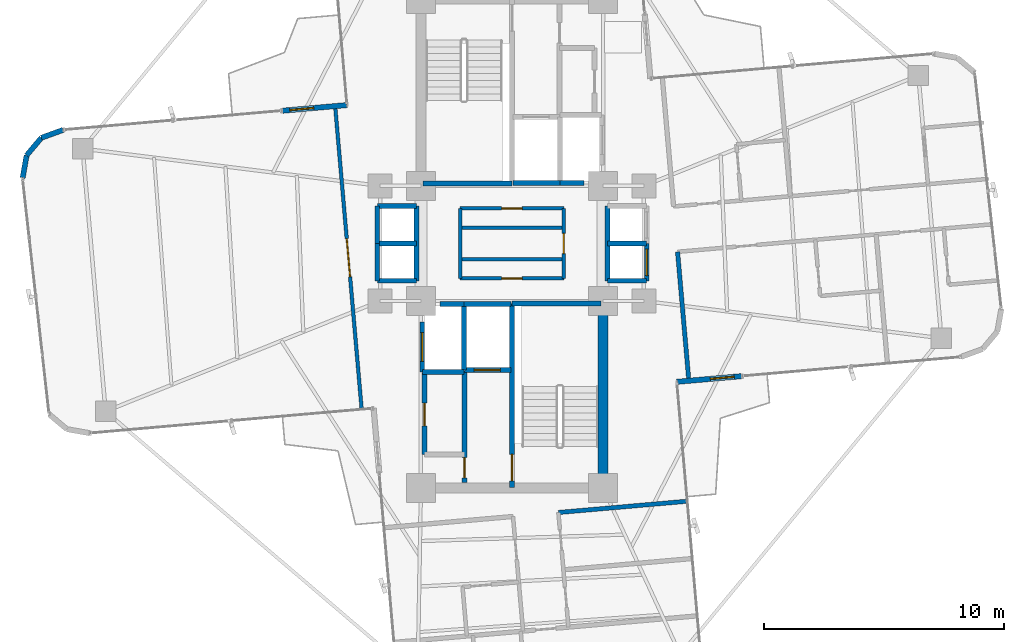
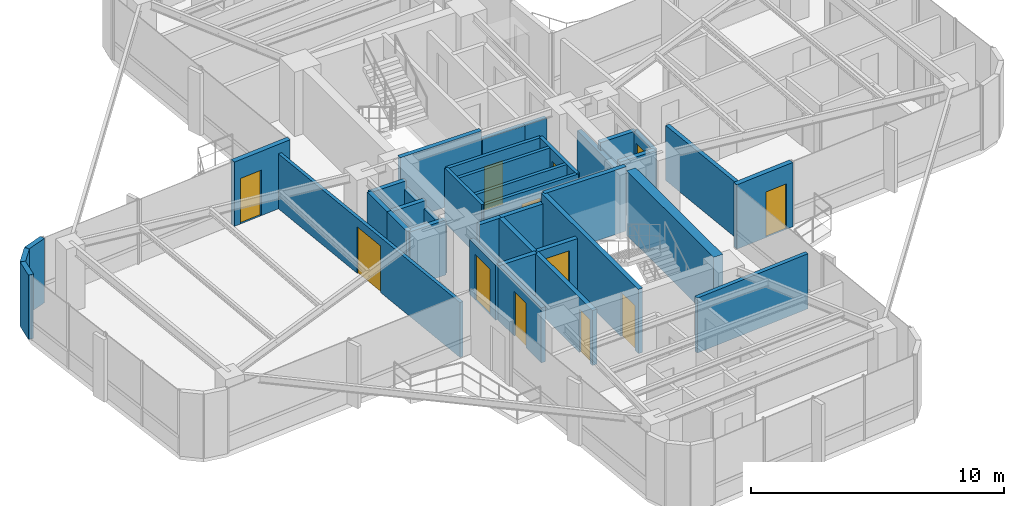
# One storey, part 21 of 24: 38 walls, 12 doors, 12 openings.
"""IFC4 building model written with IfcOpenShell, lengths in metres."""

from ifc_helpers import new_model, si_unit, direction, frame, frame_2d, origin, origin_2d, place, context, subcontext, project, spatial, rectangle, extrude, source, transform, mapped, material, layer, layer_set, type_object, element, fill, save


model = new_model("IFC4")

# Units and contexts
model_context = context("Model", 3, precision=1e-05, world=origin(), true_north=direction((0.0, 1.0)))
body_context = subcontext(model_context, "Body", "Model", "MODEL_VIEW")
ifc_project = project(units=[si_unit("LENGTHUNIT", "METRE"), si_unit("AREAUNIT", "SQUARE_METRE"), si_unit("VOLUMEUNIT", "CUBIC_METRE"), si_unit("PLANEANGLEUNIT", "RADIAN"), si_unit("MASSUNIT", "GRAM", prefix="KILO")], contexts=[model_context])

# Site, building, storey
site_placement = place(None, origin())
site = spatial("IfcSite", under=ifc_project, at=site_placement, CompositionType="ELEMENT")
building_placement = place(site_placement, origin())
building = spatial("IfcBuilding", under=site, at=building_placement, Name="Sahyath Konkavel Grand Hotel", CompositionType="ELEMENT")
storey_placement = place(building_placement, frame((0.0, 0.0, 188.60009765625)))
storey = spatial("IfcBuildingStorey", under=building, at=storey_placement, Name="L52", CompositionType="ELEMENT", Elevation=188.60009765625)

# Wall
ifc_material_1 = material(Name="Concrete C50/60", Category="concrete")
ifc_layer_1 = layer(ifc_material_1, 0.419921875)
ifc_layer_set_1 = layer_set([ifc_layer_1], Name="Concrete C50/60")
wall_type_1 = type_object("IfcWallType", Name="CWALL-420", PredefinedType="SHEAR", material=ifc_layer_set_1)
wall_1_placement = place(storey_placement, frame((3.800048828125, -9.75, 0.0), z_axis=(0.0, 0.0, 1.0), x_axis=(0.0, 1.0, 0.0)))
element("IfcWall", 1, at=wall_1_placement, inside=storey, type_object=wall_type_1, Name="L52 South Core Shear Wall E", PredefinedType="SHEAR", context=body_context, shape_type="SweptSolid", body=[
    extrude(rectangle(XDim=6.89990234375, YDim=0.419921875, at=frame_2d((3.449951171875, 0.0))), origin(), (0.0, 0.0, 1.0), 3.10986328125),
])

# Wall, opening, door
ifc_material_2 = material(Name="Warm Buff Sandstone Insulated Concrete C40/50", Category="masonry")
ifc_layer_2 = layer(ifc_material_2, 0.219970703125)
ifc_layer_set_2 = layer_set([ifc_layer_2], Name="Warm Buff Sandstone Insulated Concrete C40/50")
wall_type_2 = type_object("IfcWallType", Name="WLL-BALC-THRESH", PredefinedType="STANDARD", material=ifc_layer_set_2)
wall_2_placement = place(storey_placement, frame((6.87939453125, -5.7724609375, 0.0), z_axis=(0.0, 0.0, 1.0), x_axis=(0.996193619346, 0.087168071984, 0.0)))
wall_2 = element("IfcWall", 2, at=wall_2_placement, inside=storey, type_object=wall_type_2, Name="L52 Winter-Garden Threshold Wall 0", PredefinedType="STANDARD", context=body_context, shape_type="SweptSolid", body=[
    extrude(rectangle(XDim=2.699951171875, YDim=0.219970703125, at=frame_2d((1.35009765625, 0.0))), origin(), (0.0, 0.0, 1.0), 3.10986328125),
])
opening_1_placement = place(wall_2_placement, frame((1.39990234375, 0.0, 0.0)))
opening_1 = element("IfcOpeningElement", 3, at=opening_1_placement, cuts=wall_2, Name="Opening D-TR1", PredefinedType="OPENING", context=body_context, shape_type="SweptSolid", body=[
    extrude(rectangle(XDim=1.0, YDim=2.199951171875, at=frame_2d((0.5, 1.10009765625))), frame((0.0, 0.1201171875, 0.0), z_axis=(0.0, -1.0, 0.0), x_axis=(1.0, 0.0, 0.0)), (0.0, 0.0, 1.0), 0.239990234375),
])
ifc_material_3 = material(Name="Anodised Bronze Aluminium & Low-E Glazing", Category="aluminium")
door_type_1 = type_object("IfcDoorType", Name="DR-TERRACE-1000", OperationType="NOTDEFINED", PredefinedType="DOOR", material=ifc_material_3)
shared_shape_1 = source(origin(), body_context, "Body", "SweptSolid", [
    extrude(rectangle(XDim=1.0, YDim=0.050048828125, at=origin_2d()), origin(), (0.0, 0.0, 1.0), 2.199951171875),
])
door_1_placement = place(opening_1_placement, frame((0.5, 0.0, 0.0)))
door_1 = element("IfcDoor", 4, at=door_1_placement, inside=storey, type_object=door_type_1, Name="L52 Winter-Garden Terrace Door 0", OperationType="SINGLE_SWING_LEFT", OverallHeight=2.199951171875, OverallWidth=1.0, PredefinedType="DOOR", context=body_context, shape_type="MappedRepresentation", body=[
    mapped(shared_shape_1, transform((0.0, 0.0, 0.0), scale=1.0)),
])
fill(opening_1, door_1)

wall_3_placement = place(storey_placement, frame((-6.87939453125, 5.7724609375, 0.0), z_axis=(0.0, 0.0, 1.0), x_axis=(-0.996193619346, -0.087168071984, 0.0)))
wall_3 = element("IfcWall", 5, at=wall_3_placement, inside=storey, type_object=wall_type_2, Name="L52 Winter-Garden Threshold Wall 16", PredefinedType="STANDARD", context=body_context, shape_type="SweptSolid", body=[
    extrude(rectangle(XDim=2.699951171875, YDim=0.219970703125, at=frame_2d((1.35009765625, 0.0))), origin(), (0.0, 0.0, 1.0), 3.10986328125),
])
opening_2_placement = place(wall_3_placement, frame((1.39990234375, 0.0, 0.0)))
opening_2 = element("IfcOpeningElement", 6, at=opening_2_placement, cuts=wall_3, Name="Opening D-TR1", PredefinedType="OPENING", context=body_context, shape_type="SweptSolid", body=[
    extrude(rectangle(XDim=1.0, YDim=2.199951171875, at=frame_2d((0.5, 1.10009765625))), frame((0.0, 0.1201171875, 0.0), z_axis=(0.0, -1.0, 0.0), x_axis=(1.0, 0.0, 0.0)), (0.0, 0.0, 1.0), 0.239990234375),
])
door_2_placement = place(opening_2_placement, frame((0.5, 0.0, 0.0)))
door_2 = element("IfcDoor", 7, at=door_2_placement, inside=storey, type_object=door_type_1, Name="L52 Winter-Garden Terrace Door 16", OperationType="SINGLE_SWING_LEFT", OverallHeight=2.199951171875, OverallWidth=1.0, PredefinedType="DOOR", context=body_context, shape_type="MappedRepresentation", body=[
    mapped(shared_shape_1, transform((0.0, 0.0, 0.0), scale=1.0)),
])
fill(opening_2, door_2)

# Walls
wall_4_placement = place(storey_placement, frame((-18.73388671875, 4.735107421875, 0.0), z_axis=(0.0, 0.0, 1.0), x_axis=(-0.939741306239, -0.34188635151, 0.0)))
element("IfcWall", 8, at=wall_4_placement, inside=storey, type_object=wall_type_2, Name="L52 Rounded Corner Sandstone Pier 17", PredefinedType="STANDARD", context=body_context, shape_type="SweptSolid", body=[
    extrude(rectangle(XDim=0.95751953125, YDim=0.219970703125, at=frame_2d((0.478759765625, 0.0))), origin(), (0.0, 0.0, 1.0), 3.10986328125),
])
for number, where, z_axis, x_axis, name in (
    (9, (-19.6337890625, 4.40771484375, 0.0), (0.0, 0.0, 1.0), (-0.642863236823, -0.765980978054, 0.0), "L52 Rounded Corner Sandstone Pier 18"),
    (10, (-20.24951171875, 3.674072265625, 0.0), (0.0, 0.0, 1.0), (-0.173610811841, -0.984814340885, 0.0), "L52 Rounded Corner Sandstone Pier 19"),
):
    element("IfcWall", number, at=place(storey_placement, frame(where, z_axis=z_axis, x_axis=x_axis)), inside=storey, type_object=wall_type_2, Name=name, PredefinedType="STANDARD", context=body_context, shape_type="SweptSolid", body=[
        extrude(rectangle(XDim=0.957763671875, YDim=0.219970703125, at=frame_2d((0.47900390625, 0.0))), origin(), (0.0, 0.0, 1.0), 3.10986328125),
    ])
ifc_material_4 = material(Name="Concrete C40/50", Category="concrete")
ifc_layer_3 = layer(ifc_material_4, 0.199951171875)
ifc_layer_set_3 = layer_set([ifc_layer_3], Name="Concrete C40/50")
wall_type_3 = type_object("IfcWallType", Name="WLL-CORE-200", PredefinedType="SOLIDWALL", material=ifc_layer_set_3)
wall_5_placement = place(storey_placement, frame((-3.719970703125, 2.5, 0.0), z_axis=(0.0, 0.0, 1.0), x_axis=(1.0, 0.0, 0.0)))
element("IfcWall", 11, at=wall_5_placement, inside=storey, type_object=wall_type_3, Name="L52 Stair ST-1 Shaft Wall S", PredefinedType="SOLIDWALL", context=body_context, shape_type="SweptSolid", body=[
    extrude(rectangle(XDim=3.719970703125, YDim=0.199951171875, at=frame_2d((1.85986328125, 0.0))), origin(), (0.0, 0.0, 1.0), 3.10986328125),
])

# Wall, opening, door
wall_6_placement = place(storey_placement, frame((0.0, -10.179931640625, 0.0), z_axis=(0.0, 0.0, 1.0), x_axis=(0.0, 1.0, 0.0)))
wall_6 = element("IfcWall", 12, at=wall_6_placement, inside=storey, type_object=wall_type_3, Name="L52 Stair ST-2 Shaft Wall W", PredefinedType="SOLIDWALL", context=body_context, shape_type="SweptSolid", body=[
    extrude(rectangle(XDim=7.679931640625, YDim=0.199951171875, at=frame_2d((3.83984375, 0.0))), origin(), (0.0, 0.0, 1.0), 3.10986328125),
])
opening_3_placement = place(wall_6_placement, frame((0.280029296875, 0.0, 0.0)))
opening_3 = element("IfcOpeningElement", 13, at=opening_3_placement, cuts=wall_6, Name="Opening D-F12B", PredefinedType="OPENING", context=body_context, shape_type="SweptSolid", body=[
    extrude(rectangle(XDim=1.10009765625, YDim=2.14990234375, at=frame_2d((0.550048828125, 1.074951171875))), frame((0.0, 0.10986328125, 0.0), z_axis=(0.0, -1.0, 0.0), x_axis=(1.0, 0.0, 0.0)), (0.0, 0.0, 1.0), 0.219970703125),
])
ifc_material_5 = material(Name="Steel E350 Smokeproof Fire Door", Category="steel")
door_type_2 = type_object("IfcDoorType", Name="DR-FD120-1100", OperationType="NOTDEFINED", PredefinedType="DOOR", material=ifc_material_5)
shared_shape_2 = source(origin(), body_context, "Body", "SweptSolid", [
    extrude(rectangle(XDim=1.10009765625, YDim=0.050048828125, at=origin_2d()), origin(), (0.0, 0.0, 1.0), 2.14990234375),
])
door_3_placement = place(opening_3_placement, frame((0.550048828125, 0.0, 0.0)))
door_3 = element("IfcDoor", 14, at=door_3_placement, inside=storey, type_object=door_type_2, Name="L52 Stair ST-2 Fire Door", OperationType="SINGLE_SWING_LEFT", OverallHeight=2.14990234375, OverallWidth=1.10009765625, PredefinedType="DOOR", context=body_context, shape_type="MappedRepresentation", body=[
    mapped(shared_shape_2, transform((0.0, 0.0, 0.0), scale=1.0)),
])
fill(opening_3, door_3)

# Wall
wall_7_placement = place(storey_placement, frame((0.0, -2.5, 0.0), z_axis=(0.0, 0.0, 1.0), x_axis=(1.0, 0.0, 0.0)))
element("IfcWall", 15, at=wall_7_placement, inside=storey, type_object=wall_type_3, Name="L52 Stair ST-2 Shaft Wall N", PredefinedType="SOLIDWALL", context=body_context, shape_type="SweptSolid", body=[
    extrude(rectangle(XDim=3.719970703125, YDim=0.199951171875, at=frame_2d((1.85986328125, 0.0))), origin(), (0.0, 0.0, 1.0), 3.10986328125),
])

# Wall, opening, door
wall_8_placement = place(storey_placement, frame((-1.97998046875, -9.97998046875, 0.0), z_axis=(0.0, 0.0, 1.0), x_axis=(0.0, 1.0, 0.0)))
wall_8 = element("IfcWall", 16, at=wall_8_placement, inside=storey, type_object=wall_type_3, Name="L52 South Firefighting Lobby Wall W", PredefinedType="SOLIDWALL", context=body_context, shape_type="SweptSolid", body=[
    extrude(rectangle(XDim=4.659912109375, YDim=0.199951171875, at=frame_2d((2.330078125, 0.0))), origin(), (0.0, 0.0, 1.0), 2.659912109375),
])
opening_4_placement = place(wall_8_placement, frame((0.199951171875, 0.0, 0.0)))
opening_4 = element("IfcOpeningElement", 17, at=opening_4_placement, cuts=wall_8, Name="Opening D-F12D", PredefinedType="OPENING", context=body_context, shape_type="SweptSolid", body=[
    extrude(rectangle(XDim=0.85009765625, YDim=2.10009765625, at=frame_2d((0.425048828125, 1.050048828125))), frame((0.0, 0.10986328125, 0.0), z_axis=(0.0, -1.0, 0.0), x_axis=(1.0, 0.0, 0.0)), (0.0, 0.0, 1.0), 0.219970703125),
])
ifc_material_6 = material(Name="Steel E350 Core Fire Door", Category="steel")
door_type_3 = type_object("IfcDoorType", Name="DR-FD120-850", OperationType="NOTDEFINED", PredefinedType="DOOR", material=ifc_material_6)
shared_shape_3 = source(origin(), body_context, "Body", "SweptSolid", [
    extrude(rectangle(XDim=0.85009765625, YDim=0.050048828125, at=origin_2d()), origin(), (0.0, 0.0, 1.0), 2.10009765625),
])
door_4_placement = place(opening_4_placement, frame((0.425048828125, 0.0, 0.0)))
door_4 = element("IfcDoor", 18, at=door_4_placement, inside=storey, type_object=door_type_3, Name="L52 South Firefighting Lobby Door", OperationType="SINGLE_SWING_LEFT", OverallHeight=2.10009765625, OverallWidth=0.85009765625, PredefinedType="DOOR", context=body_context, shape_type="MappedRepresentation", body=[
    mapped(shared_shape_3, transform((0.0, 0.0, 0.0), scale=1.0)),
])
fill(opening_4, door_4)

# Walls
wall_9_placement = place(storey_placement, frame((0.050048828125, 2.52001953125, 0.0), z_axis=(0.0, 0.0, 1.0), x_axis=(1.0, 0.0, 0.0)))
element("IfcWall", 19, at=wall_9_placement, inside=storey, type_object=wall_type_3, Name="L52 Partition SH-FFL1-S", PredefinedType="SOLIDWALL", context=body_context, shape_type="SweptSolid", body=[
    extrude(rectangle(XDim=1.949951171875, YDim=0.199951171875, at=frame_2d((0.97509765625, 0.0))), origin(), (0.0, 0.0, 1.0), 2.659912109375),
])
wall_10_placement = place(storey_placement, frame((-2.0, -5.280029296875, 0.0), z_axis=(0.0, 0.0, 1.0), x_axis=(0.0, 1.0, 0.0)))
element("IfcWall", 20, at=wall_10_placement, inside=storey, type_object=wall_type_3, Name="L52 Partition SH-FFL2-W", PredefinedType="SOLIDWALL", context=body_context, shape_type="SweptSolid", body=[
    extrude(rectangle(XDim=2.780029296875, YDim=0.199951171875, at=frame_2d((1.39013671875, 0.0))), origin(), (0.0, 0.0, 1.0), 2.659912109375),
])
wall_11_placement = place(storey_placement, frame((-2.0, -2.52001953125, 0.0), z_axis=(0.0, 0.0, 1.0), x_axis=(1.0, 0.0, 0.0)))
element("IfcWall", 21, at=wall_11_placement, inside=storey, type_object=wall_type_3, Name="L52 Partition SH-FFL2-N", PredefinedType="SOLIDWALL", context=body_context, shape_type="SweptSolid", body=[
    extrude(rectangle(XDim=1.949951171875, YDim=0.199951171875, at=frame_2d((0.97509765625, 0.0))), origin(), (0.0, 0.0, 1.0), 2.659912109375),
])

# Wall, opening, door
wall_12_placement = place(storey_placement, frame((-1.97998046875, -5.280029296875, 0.0), z_axis=(0.0, 0.0, 1.0), x_axis=(1.0, 0.0, 0.0)))
wall_12 = element("IfcWall", 22, at=wall_12_placement, inside=storey, type_object=wall_type_3, Name="L52 Partition SH-FFL2-S", PredefinedType="SOLIDWALL", context=body_context, shape_type="SweptSolid", body=[
    extrude(rectangle(XDim=1.929931640625, YDim=0.199951171875, at=frame_2d((0.96484375, 0.0))), origin(), (0.0, 0.0, 1.0), 2.659912109375),
])
opening_5_placement = place(wall_12_placement, frame((0.39990234375, 0.0, 0.0)))
opening_5 = element("IfcOpeningElement", 23, at=opening_5_placement, cuts=wall_12, Name="Opening LD-11", PredefinedType="OPENING", context=body_context, shape_type="SweptSolid", body=[
    extrude(rectangle(XDim=1.10009765625, YDim=2.199951171875, at=frame_2d((0.550048828125, 1.10009765625))), frame((0.0, 0.10986328125, 0.0), z_axis=(0.0, -1.0, 0.0), x_axis=(1.0, 0.0, 0.0)), (0.0, 0.0, 1.0), 0.219970703125),
])
ifc_material_7 = material(Name="Bronze Lift Landing Door 1100")
door_type_4 = type_object("IfcDoorType", Name="DR-LIFT-1100", OperationType="DOUBLE_DOOR_SLIDING", PredefinedType="DOOR", material=ifc_material_7)
shared_shape_4 = source(origin(), body_context, "Body", "SweptSolid", [
    extrude(rectangle(XDim=1.10009765625, YDim=0.050048828125, at=origin_2d()), origin(), (0.0, 0.0, 1.0), 2.199951171875),
])
door_5_placement = place(opening_5_placement, frame((0.550048828125, 0.0, 0.0)))
door_5 = element("IfcDoor", 24, at=door_5_placement, inside=storey, type_object=door_type_4, Name="L52 Lift FFL-2 Landing Door", OperationType="DOUBLE_DOOR_SLIDING", OverallHeight=2.199951171875, OverallWidth=1.10009765625, PredefinedType="DOOR", context=body_context, shape_type="MappedRepresentation", body=[
    mapped(shared_shape_4, transform((0.0, 0.0, 0.0), scale=1.0)),
])
fill(opening_5, door_5)

# Walls
for number, where, z_axis, x_axis, name in (
    (25, (2.0, 2.52001953125, 0.0), (0.0, 0.0, 1.0), (1.0, 0.0, 0.0), "L52 Partition SH-SVL1-S"),
    (26, (-3.0, -2.52001953125, 0.0), (0.0, 0.0, 1.0), (1.0, 0.0, 0.0), "L52 Partition SH-SVL2-N"),
):
    element("IfcWall", number, at=place(storey_placement, frame(where, z_axis=z_axis, x_axis=x_axis)), inside=storey, type_object=wall_type_3, Name=name, PredefinedType="SOLIDWALL", context=body_context, shape_type="SweptSolid", body=[
        extrude(rectangle(XDim=1.0, YDim=0.199951171875, at=frame_2d((0.5, 0.0))), origin(), (0.0, 0.0, 1.0), 2.659912109375),
    ])
wall_13_placement = place(storey_placement, frame((-3.739990234375, -5.360107421875, 0.0), z_axis=(0.0, 0.0, 1.0), x_axis=(1.0, 0.0, 0.0)))
element("IfcWall", 27, at=wall_13_placement, inside=storey, type_object=wall_type_3, Name="L52 Partition SH-SVL2-S", PredefinedType="SOLIDWALL", context=body_context, shape_type="SweptSolid", body=[
    extrude(rectangle(XDim=1.739990234375, YDim=0.199951171875, at=frame_2d((0.8701171875, 0.0))), origin(), (0.0, 0.0, 1.0), 2.659912109375),
])

# Wall, opening, door
wall_14_placement = place(storey_placement, frame((-3.739990234375, -5.360107421875, 0.0), z_axis=(0.0, 0.0, 1.0), x_axis=(0.0, 1.0, 0.0)))
wall_14 = element("IfcWall", 28, at=wall_14_placement, inside=storey, type_object=wall_type_3, Name="L52 Partition SH-SVL2-W", PredefinedType="SOLIDWALL", context=body_context, shape_type="SweptSolid", body=[
    extrude(rectangle(XDim=2.080078125, YDim=0.199951171875, at=frame_2d((1.0400390625, 0.0))), origin(), (0.0, 0.0, 1.0), 2.659912109375),
])
opening_6_placement = place(wall_14_placement, frame((0.43994140625, 0.0, 0.0)))
opening_6 = element("IfcOpeningElement", 29, at=opening_6_placement, cuts=wall_14, Name="Opening LD-12", PredefinedType="OPENING", context=body_context, shape_type="SweptSolid", body=[
    extrude(rectangle(XDim=1.199951171875, YDim=2.199951171875, at=frame_2d((0.60009765625, 1.10009765625))), frame((0.0, 0.10986328125, 0.0), z_axis=(0.0, -1.0, 0.0), x_axis=(1.0, 0.0, 0.0)), (0.0, 0.0, 1.0), 0.219970703125),
])
ifc_material_8 = material(Name="Stainless Steel Lift Landing Door 1200", Category="steel")
door_type_5 = type_object("IfcDoorType", Name="DR-LIFT-1200", OperationType="DOUBLE_DOOR_SLIDING", PredefinedType="DOOR", material=ifc_material_8)
shared_shape_5 = source(origin(), body_context, "Body", "SweptSolid", [
    extrude(rectangle(XDim=1.199951171875, YDim=0.050048828125, at=origin_2d()), origin(), (0.0, 0.0, 1.0), 2.199951171875),
])
door_6_placement = place(opening_6_placement, frame((0.60009765625, 0.0, 0.0)))
door_6 = element("IfcDoor", 30, at=door_6_placement, inside=storey, type_object=door_type_5, Name="L52 Service Lift SVL-2 Landing Door", OperationType="DOUBLE_DOOR_SLIDING", OverallHeight=2.199951171875, OverallWidth=1.199951171875, PredefinedType="DOOR", context=body_context, shape_type="MappedRepresentation", body=[
    mapped(shared_shape_5, transform((0.0, 0.0, 0.0), scale=1.0)),
])
fill(opening_6, door_6)

# Walls
wall_15_placement = place(storey_placement, frame((3.97998046875, -1.56005859375, 0.0), z_axis=(0.0, 0.0, 1.0), x_axis=(0.0, 1.0, 0.0)))
element("IfcWall", 31, at=wall_15_placement, inside=storey, type_object=wall_type_3, Name="L52 Partition SH-PL56-W", PredefinedType="SOLIDWALL", context=body_context, shape_type="SweptSolid", body=[
    extrude(rectangle(XDim=3.1201171875, YDim=0.199951171875, at=frame_2d((1.56005859375, 0.0))), origin(), (0.0, 0.0, 1.0), 2.27978515625),
])
for number, where, z_axis, x_axis, name in (
    (32, (3.97998046875, -1.56005859375, 0.0), (0.0, 0.0, 1.0), (1.0, 0.0, 0.0), "L52 Partition SH-PL56-S"),
    (33, (3.97998046875, 0.0, 0.0), (0.0, 0.0, 1.0), (1.0, 0.0, 0.0), "L52 Partition SH-PL56-M"),
):
    element("IfcWall", number, at=place(storey_placement, frame(where, z_axis=z_axis, x_axis=x_axis)), inside=storey, type_object=wall_type_3, Name=name, PredefinedType="SOLIDWALL", context=body_context, shape_type="SweptSolid", body=[
        extrude(rectangle(XDim=1.64013671875, YDim=0.199951171875, at=frame_2d((0.820068359375, 0.0))), origin(), (0.0, 0.0, 1.0), 2.659912109375),
    ])

# Wall, opening, door
wall_16_placement = place(storey_placement, frame((5.6201171875, -1.56005859375, 0.0), z_axis=(0.0, 0.0, 1.0), x_axis=(0.0, 1.0, 0.0)))
wall_16 = element("IfcWall", 34, at=wall_16_placement, inside=storey, type_object=wall_type_3, Name="L52 Partition SH-PL6-E", PredefinedType="SOLIDWALL", context=body_context, shape_type="SweptSolid", body=[
    extrude(rectangle(XDim=1.56005859375, YDim=0.199951171875, at=frame_2d((0.780029296875, 0.0))), origin(), (0.0, 0.0, 1.0), 2.659912109375),
])
opening_7_placement = place(wall_16_placement, frame((0.219970703125, 0.0, 0.0)))
opening_7 = element("IfcOpeningElement", 35, at=opening_7_placement, cuts=wall_16, Name="Opening LD-11", PredefinedType="OPENING", context=body_context, shape_type="SweptSolid", body=[
    extrude(rectangle(XDim=1.10009765625, YDim=2.199951171875, at=frame_2d((0.550048828125, 1.10009765625))), frame((0.0, 0.10986328125, 0.0), z_axis=(0.0, -1.0, 0.0), x_axis=(1.0, 0.0, 0.0)), (0.0, 0.0, 1.0), 0.219970703125),
])
door_7_placement = place(opening_7_placement, frame((0.550048828125, 0.0, 0.0)))
door_7 = element("IfcDoor", 36, at=door_7_placement, inside=storey, type_object=door_type_4, Name="L52 High-Rise Lift PL-6 Landing Door", OperationType="DOUBLE_DOOR_SLIDING", OverallHeight=2.199951171875, OverallWidth=1.10009765625, PredefinedType="DOOR", context=body_context, shape_type="MappedRepresentation", body=[
    mapped(shared_shape_4, transform((0.0, 0.0, 0.0), scale=1.0)),
])
fill(opening_7, door_7)

# Walls
wall_17_placement = place(storey_placement, frame((-3.97998046875, -1.56005859375, 0.0), z_axis=(0.0, 0.0, 1.0), x_axis=(0.0, 1.0, 0.0)))
element("IfcWall", 37, at=wall_17_placement, inside=storey, type_object=wall_type_3, Name="L52 Partition SH-SL12-E", PredefinedType="SOLIDWALL", context=body_context, shape_type="SweptSolid", body=[
    extrude(rectangle(XDim=3.1201171875, YDim=0.199951171875, at=frame_2d((1.56005859375, 0.0))), origin(), (0.0, 0.0, 1.0), 2.27978515625),
])
for number, where, z_axis, x_axis, name in (
    (38, (-5.6201171875, 1.56005859375, 0.0), (0.0, 0.0, 1.0), (1.0, 0.0, 0.0), "L52 Partition SH-SL12-N"),
    (39, (-5.6201171875, -1.56005859375, 0.0), (0.0, 0.0, 1.0), (1.0, 0.0, 0.0), "L52 Partition SH-SL12-S"),
    (40, (-5.6201171875, 0.0, 0.0), (0.0, 0.0, 1.0), (1.0, 0.0, 0.0), "L52 Partition SH-SL12-M"),
):
    element("IfcWall", number, at=place(storey_placement, frame(where, z_axis=z_axis, x_axis=x_axis)), inside=storey, type_object=wall_type_3, Name=name, PredefinedType="SOLIDWALL", context=body_context, shape_type="SweptSolid", body=[
        extrude(rectangle(XDim=1.64013671875, YDim=0.199951171875, at=frame_2d((0.820068359375, 0.0))), origin(), (0.0, 0.0, 1.0), 2.659912109375),
    ])
for number, where, z_axis, x_axis, name in (
    (41, (-5.6201171875, 0.0, 0.0), (0.0, 0.0, 1.0), (0.0, 1.0, 0.0), "L52 Partition SH-SL1-W"),
    (42, (-5.6201171875, -1.56005859375, 0.0), (0.0, 0.0, 1.0), (0.0, 1.0, 0.0), "L52 Partition SH-SL2-W"),
):
    element("IfcWall", number, at=place(storey_placement, frame(where, z_axis=z_axis, x_axis=x_axis)), inside=storey, type_object=wall_type_3, Name=name, PredefinedType="SOLIDWALL", context=body_context, shape_type="SweptSolid", body=[
        extrude(rectangle(XDim=1.56005859375, YDim=0.199951171875, at=frame_2d((0.780029296875, 0.0))), origin(), (0.0, 0.0, 1.0), 2.659912109375),
    ])

# Wall, opening, door
wall_18_placement = place(storey_placement, frame((-3.64990234375, -8.81005859375, 0.0), z_axis=(0.0, 0.0, 1.0), x_axis=(0.0, 1.0, 0.0)))
wall_18 = element("IfcWall", 43, at=wall_18_placement, inside=storey, type_object=wall_type_3, Name="L52 Reclaimed South Core Wall W", PredefinedType="SOLIDWALL", context=body_context, shape_type="SweptSolid", body=[
    extrude(rectangle(XDim=3.43017578125, YDim=0.199951171875, at=frame_2d((1.715087890625, 0.0))), origin(), (0.0, 0.0, 1.0), 2.659912109375),
])
opening_8_placement = place(wall_18_placement, frame((1.199951171875, 0.0, 0.0)))
opening_8 = element("IfcOpeningElement", 44, at=opening_8_placement, cuts=wall_18, Name="Opening D-AC95", PredefinedType="OPENING", context=body_context, shape_type="SweptSolid", body=[
    extrude(rectangle(XDim=0.949951171875, YDim=2.14990234375, at=frame_2d((0.47509765625, 1.074951171875))), frame((0.0, 0.10986328125, 0.0), z_axis=(0.0, -1.0, 0.0), x_axis=(1.0, 0.0, 0.0)), (0.0, 0.0, 1.0), 0.219970703125),
])
ifc_material_9 = material(Name="Accessible Washroom Timber Door", Category="wood")
door_type_6 = type_object("IfcDoorType", Name="DR-ACC-950", OperationType="NOTDEFINED", PredefinedType="DOOR", material=ifc_material_9)
shared_shape_6 = source(origin(), body_context, "Body", "SweptSolid", [
    extrude(rectangle(XDim=0.949951171875, YDim=0.050048828125, at=origin_2d()), origin(), (0.0, 0.0, 1.0), 2.14990234375),
])
door_8_placement = place(opening_8_placement, frame((0.47509765625, 0.0, 0.0)))
door_8 = element("IfcDoor", 45, at=door_8_placement, inside=storey, type_object=door_type_6, Name="L52 Door SC-REC1-D", OperationType="SINGLE_SWING_LEFT", OverallHeight=2.14990234375, OverallWidth=0.949951171875, PredefinedType="DOOR", context=body_context, shape_type="MappedRepresentation", body=[
    mapped(shared_shape_6, transform((0.0, 0.0, 0.0), scale=1.0)),
])
fill(opening_8, door_8)

# Walls
ifc_material_10 = material(Name="Twin-Stud Acoustic Gypsum Plasterboard Partition")
ifc_layer_4 = layer(ifc_material_10, 0.179931640625)
ifc_layer_set_4 = layer_set([ifc_layer_4], Name="Twin-Stud Acoustic Gypsum Plasterboard Partition")
wall_type_4 = type_object("IfcWallType", Name="WLL-DEMISE-180", PredefinedType="PARTITIONING", material=ifc_layer_set_4)
for number, where, z_axis, x_axis, name in (
    (46, (7.373046875, -5.678955078125, 0.0), (0.0, 0.0, 1.0), (-0.087161289348, 0.996194212812, 0.0), "L52 Partition E-INR"),
    (47, (1.935546875, -11.22412109375, 0.0), (0.0, 0.0, 1.0), (0.996194212812, 0.087161289348, 0.0), "L52 Partition S-INL"),
):
    element("IfcWall", number, at=place(storey_placement, frame(where, z_axis=z_axis, x_axis=x_axis)), inside=storey, type_object=wall_type_4, Name=name, PredefinedType="PARTITIONING", context=body_context, shape_type="SweptSolid", body=[
        extrude(rectangle(XDim=5.349853515625, YDim=0.179931640625, at=frame_2d((2.6748046875, 0.0))), origin(), (0.0, 0.0, 1.0), 2.659912109375),
    ])

# Wall, opening, door
ifc_material_11 = material(Name="Fire-Rated Gypsum Plasterboard Partition")
ifc_layer_5 = layer(ifc_material_11, 0.14990234375)
ifc_layer_set_5 = layer_set([ifc_layer_5], Name="Fire-Rated Gypsum Plasterboard Partition")
wall_type_5 = type_object("IfcWallType", Name="WLL-PART-150", PredefinedType="PARTITIONING", material=ifc_layer_set_5)
wall_19_placement = place(storey_placement, frame((2.159912109375, -1.4599609375, 0.0), z_axis=(0.0, 0.0, 1.0), x_axis=(0.0, 1.0, 0.0)))
wall_19 = element("IfcWall", 48, at=wall_19_placement, inside=storey, type_object=wall_type_5, Name="L52 Partition CC-2E", PredefinedType="PARTITIONING", context=body_context, shape_type="SweptSolid", body=[
    extrude(rectangle(XDim=2.919921875, YDim=0.14990234375, at=frame_2d((1.4599609375, 0.0))), origin(), (0.0, 0.0, 1.0), 2.659912109375),
])
opening_9_placement = place(wall_19_placement, frame((1.034912109375, 0.0, 0.0)))
opening_9 = element("IfcOpeningElement", 49, at=opening_9_placement, cuts=wall_19, Name="Opening D-F06D", PredefinedType="OPENING", context=body_context, shape_type="SweptSolid", body=[
    extrude(rectangle(XDim=0.85009765625, YDim=2.10009765625, at=frame_2d((0.425048828125, 1.050048828125))), frame((0.0, 0.0849609375, 0.0), z_axis=(0.0, -1.0, 0.0), x_axis=(1.0, 0.0, 0.0)), (0.0, 0.0, 1.0), 0.169921875),
])
ifc_material_12 = material(Name="Fire-Rated Shaft Access Door")
door_type_7 = type_object("IfcDoorType", Name="DR-FD60-850", OperationType="NOTDEFINED", PredefinedType="DOOR", material=ifc_material_12)
door_9_placement = place(opening_9_placement, frame((0.425048828125, 0.0, 0.0)))
door_9 = element("IfcDoor", 50, at=door_9_placement, inside=storey, type_object=door_type_7, Name="L52 Door CC-D2B", OperationType="SINGLE_SWING_LEFT", OverallHeight=2.10009765625, OverallWidth=0.85009765625, PredefinedType="DOOR", context=body_context, shape_type="MappedRepresentation", body=[
    mapped(shared_shape_3, transform((0.0, 0.0, 0.0), scale=1.0)),
])
fill(opening_9, door_9)

# Wall
wall_20_placement = place(storey_placement, frame((-2.159912109375, -1.4599609375, 0.0), z_axis=(0.0, 0.0, 1.0), x_axis=(0.0, 1.0, 0.0)))
element("IfcWall", 51, at=wall_20_placement, inside=storey, type_object=wall_type_5, Name="L52 Partition CC-2W", PredefinedType="PARTITIONING", context=body_context, shape_type="SweptSolid", body=[
    extrude(rectangle(XDim=2.919921875, YDim=0.14990234375, at=frame_2d((1.4599609375, 0.0))), origin(), (0.0, 0.0, 1.0), 2.659912109375),
])

# Wall, opening, door
wall_21_placement = place(storey_placement, frame((-2.159912109375, 1.4599609375, 0.0), z_axis=(0.0, 0.0, 1.0), x_axis=(1.0, 0.0, 0.0)))
wall_21 = element("IfcWall", 52, at=wall_21_placement, inside=storey, type_object=wall_type_5, Name="L52 Partition CC-2N", PredefinedType="PARTITIONING", context=body_context, shape_type="SweptSolid", body=[
    extrude(rectangle(XDim=4.31982421875, YDim=0.14990234375, at=frame_2d((2.159912109375, 0.0))), origin(), (0.0, 0.0, 1.0), 2.659912109375),
])
opening_10_placement = place(wall_21_placement, frame((1.72998046875, 0.0, 0.0)))
opening_10 = element("IfcOpeningElement", 53, at=opening_10_placement, cuts=wall_21, Name="Opening D-F06D", PredefinedType="OPENING", context=body_context, shape_type="SweptSolid", body=[
    extrude(rectangle(XDim=0.85009765625, YDim=2.10009765625, at=frame_2d((0.425048828125, 1.050048828125))), frame((0.0, 0.0849609375, 0.0), z_axis=(0.0, -1.0, 0.0), x_axis=(1.0, 0.0, 0.0)), (0.0, 0.0, 1.0), 0.169921875),
])
door_10_placement = place(opening_10_placement, frame((0.425048828125, 0.0, 0.0)))
door_10 = element("IfcDoor", 54, at=door_10_placement, inside=storey, type_object=door_type_7, Name="L52 Door CC-D2A", OperationType="SINGLE_SWING_RIGHT", OverallHeight=2.10009765625, OverallWidth=0.85009765625, PredefinedType="DOOR", context=body_context, shape_type="MappedRepresentation", body=[
    mapped(shared_shape_3, transform((0.0, 0.0, 0.0), scale=1.0)),
])
fill(opening_10, door_10)

wall_22_placement = place(storey_placement, frame((-2.159912109375, -1.4599609375, 0.0), z_axis=(0.0, 0.0, 1.0), x_axis=(1.0, 0.0, 0.0)))
wall_22 = element("IfcWall", 55, at=wall_22_placement, inside=storey, type_object=wall_type_5, Name="L52 Partition CC-2S", PredefinedType="PARTITIONING", context=body_context, shape_type="SweptSolid", body=[
    extrude(rectangle(XDim=4.31982421875, YDim=0.14990234375, at=frame_2d((2.159912109375, 0.0))), origin(), (0.0, 0.0, 1.0), 2.659912109375),
])
opening_11_placement = place(wall_22_placement, frame((1.72998046875, 0.0, 0.0)))
opening_11 = element("IfcOpeningElement", 56, at=opening_11_placement, cuts=wall_22, Name="Opening D-F06D", PredefinedType="OPENING", context=body_context, shape_type="SweptSolid", body=[
    extrude(rectangle(XDim=0.85009765625, YDim=2.10009765625, at=frame_2d((0.425048828125, 1.050048828125))), frame((0.0, 0.0849609375, 0.0), z_axis=(0.0, -1.0, 0.0), x_axis=(1.0, 0.0, 0.0)), (0.0, 0.0, 1.0), 0.169921875),
])
door_11_placement = place(opening_11_placement, frame((0.425048828125, 0.0, 0.0)))
door_11 = element("IfcDoor", 57, at=door_11_placement, inside=storey, type_object=door_type_7, Name="L52 Door CC-D2C", OperationType="SINGLE_SWING_RIGHT", OverallHeight=2.10009765625, OverallWidth=0.85009765625, PredefinedType="DOOR", context=body_context, shape_type="MappedRepresentation", body=[
    mapped(shared_shape_3, transform((0.0, 0.0, 0.0), scale=1.0)),
])
fill(opening_11, door_11)

# Walls
for number, where, z_axis, x_axis, name in (
    (58, (-2.159912109375, 0.659912109375, 0.0), (0.0, 0.0, 1.0), (1.0, 0.0, 0.0), "L52 Partition CC-2M1"),
    (59, (-2.159912109375, -0.659912109375, 0.0), (0.0, 0.0, 1.0), (1.0, 0.0, 0.0), "L52 Partition CC-2M2"),
):
    element("IfcWall", number, at=place(storey_placement, frame(where, z_axis=z_axis, x_axis=x_axis)), inside=storey, type_object=wall_type_5, Name=name, PredefinedType="PARTITIONING", context=body_context, shape_type="SweptSolid", body=[
        extrude(rectangle(XDim=4.31982421875, YDim=0.14990234375, at=frame_2d((2.159912109375, 0.0))), origin(), (0.0, 0.0, 1.0), 2.659912109375),
    ])

# Wall, opening, door
wall_23_placement = place(storey_placement, frame((-7.373046875, 5.678955078125, 0.0), z_axis=(0.0, 0.0, 1.0), x_axis=(0.087154691724, -0.996194790044, 0.0)))
wall_23 = element("IfcWall", 60, at=wall_23_placement, inside=storey, type_object=wall_type_5, Name="L52 Partition W-SAL-IN", PredefinedType="PARTITIONING", context=body_context, shape_type="SweptSolid", body=[
    extrude(rectangle(XDim=12.599853515625, YDim=0.14990234375, at=frame_2d((6.2998046875, 0.0))), origin(), (0.0, 0.0, 1.0), 2.659912109375),
])
opening_12_placement = place(wall_23_placement, frame((5.5, 0.0, 0.0)))
opening_12 = element("IfcOpeningElement", 61, at=opening_12_placement, cuts=wall_23, Name="Opening D-DB16", PredefinedType="OPENING", context=body_context, shape_type="SweptSolid", body=[
    extrude(rectangle(XDim=1.60009765625, YDim=2.25, at=frame_2d((0.800048828125, 1.125))), frame((0.0, 0.0849609375, 0.0), z_axis=(0.0, -1.0, 0.0), x_axis=(1.0, 0.0, 0.0)), (0.0, 0.0, 1.0), 0.169921875),
])
ifc_material_13 = material(Name="Double Leaf Lounge Glazed Timber Door", Category="wood")
door_type_8 = type_object("IfcDoorType", Name="DR-DBL-1600", OperationType="DOUBLE_DOOR_SINGLE_SWING", PredefinedType="DOOR", material=ifc_material_13)
shared_shape_7 = source(origin(), body_context, "Body", "SweptSolid", [
    extrude(rectangle(XDim=1.60009765625, YDim=0.050048828125, at=origin_2d()), origin(), (0.0, 0.0, 1.0), 2.25),
])
door_12_placement = place(opening_12_placement, frame((0.800048828125, 0.0, 0.0)))
door_12 = element("IfcDoor", 62, at=door_12_placement, inside=storey, type_object=door_type_8, Name="L52 Door W-SAL-D", OperationType="DOUBLE_DOOR_SINGLE_SWING", OverallHeight=2.25, OverallWidth=1.60009765625, PredefinedType="DOOR", context=body_context, shape_type="MappedRepresentation", body=[
    mapped(shared_shape_7, transform((0.0, 0.0, 0.0), scale=1.0)),
])
fill(opening_12, door_12)

save(model, "model.ifc")
